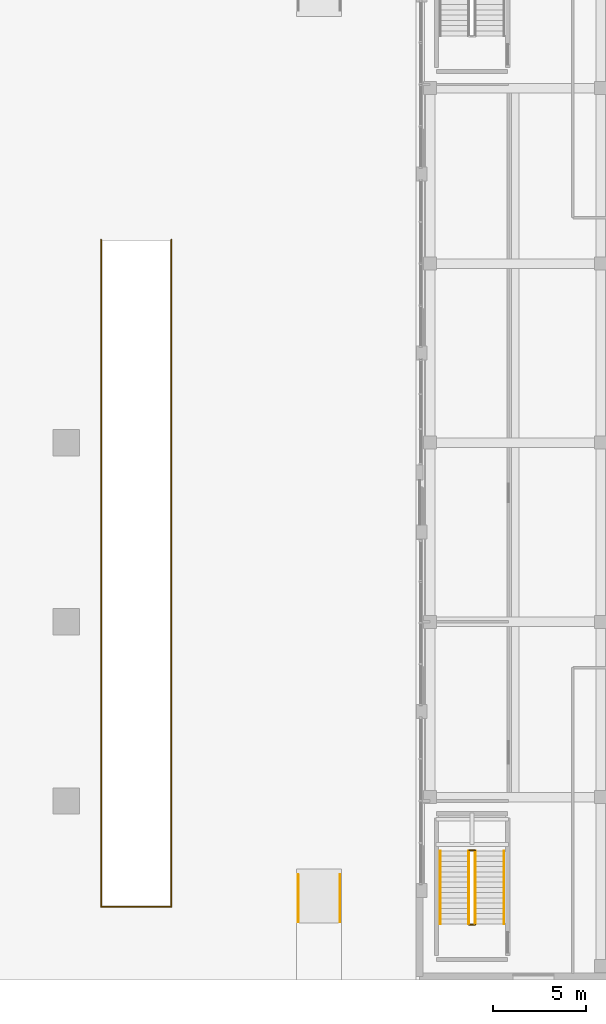
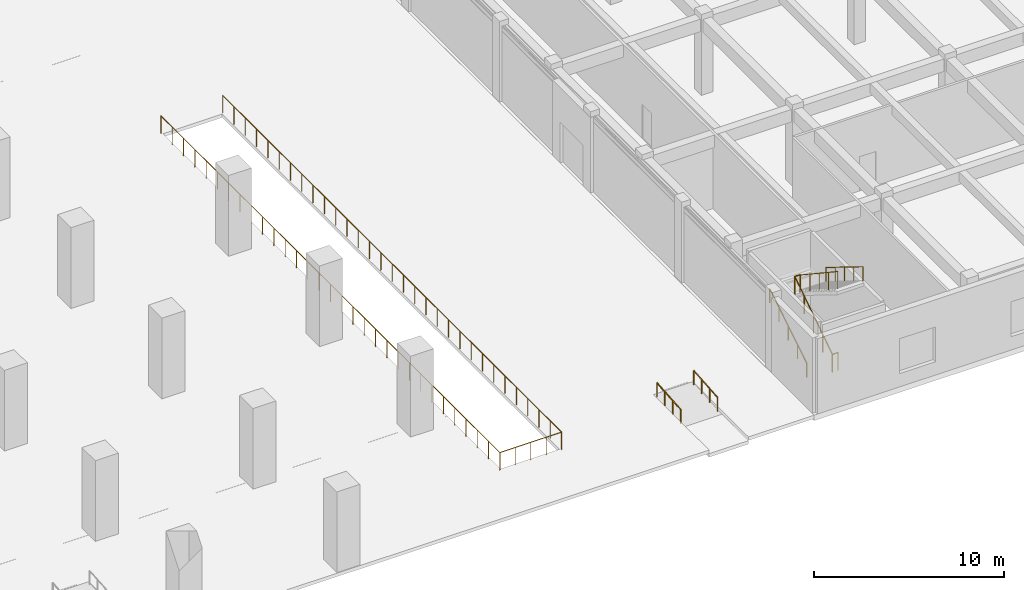
# One storey, part 20 of 24: 9 railings.
"""IFC4 building model written with IfcOpenShell, lengths in metres."""

import ifcopenshell
import ifcopenshell.guid

model = None  # the IFC model being written
_history = None  # IfcOwnerHistory: only IFC2X3 demands one
_inside = {}  # id of a spatial element -> (the spatial element, [elements in it])
_under = {}  # id of a project, library or spatial element -> (it, [spatial elements below it])
_declared = {}  # id of a project -> (the project, [libraries it declares])
_typed = {}  # id of a type object -> (the type object, [elements of that type])
_made_of = {}  # id of a material, layer set ... -> (it, [elements and type objects made of it])


def new_model(schema):
    """Start an empty IFC model of exactly this schema.

    Asked for "IFC4X3", IfcOpenShell would pick the latest addendum, in which some entities
    have other attributes; the version numbers below select the first issue.
    IFC2X3 requires an IfcOwnerHistory on every rooted entity: one is made here for all.
    """
    global model, _history
    if schema == "IFC4X3":
        model = ifcopenshell.file(schema_version=(4, 3, 0, 0))
    else:
        model = ifcopenshell.file(schema=schema)
    _inside.clear()
    _under.clear()
    _declared.clear()
    _typed.clear()
    _made_of.clear()
    _history = None
    if model.schema == "IFC2X3":
        org = make("IfcOrganization", Name="unknown")
        user = make(
            "IfcPersonAndOrganization",
            ThePerson=make("IfcPerson", FamilyName="unknown"),
            TheOrganization=org,
        )
        app = make(
            "IfcApplication",
            ApplicationDeveloper=org,
            Version="unknown",
            ApplicationFullName="unknown",
            ApplicationIdentifier="unknown",
        )
        _history = make(
            "IfcOwnerHistory",
            OwningUser=user,
            OwningApplication=app,
            ChangeAction="ADDED",
            CreationDate=0,
        )
    return model


def make(cls, **values):
    """One entity of the class cls with the attributes given. An attribute that is None is left unset."""
    return model.create_entity(
        cls, **{name: value for name, value in values.items() if value is not None}
    )


def rooted(cls, **values):
    """An entity with a GlobalId (a new one), such as an element, a storey or a relation."""
    return make(cls, GlobalId=ifcopenshell.guid.new(), OwnerHistory=_history, **values)


def si_unit(unit_type, name, prefix=None):
    """IfcSIUnit, for example si_unit("LENGTHUNIT", "METRE", prefix="MILLI")."""
    return make("IfcSIUnit", UnitType=unit_type, Prefix=prefix, Name=name)


def assignment(units):
    """IfcUnitAssignment: the units of a project."""
    return None if units is None else make("IfcUnitAssignment", Units=units)


def point(xyz):
    """IfcCartesianPoint."""
    return None if xyz is None else make("IfcCartesianPoint", Coordinates=xyz)


def direction(xyz):
    """IfcDirection."""
    return None if xyz is None else make("IfcDirection", DirectionRatios=xyz)


def frame(location, z_axis=None, x_axis=None):
    """IfcAxis2Placement3D, a coordinate frame: its origin and axes. An axis left out is left unset."""
    return make(
        "IfcAxis2Placement3D",
        Location=point(location),
        Axis=direction(z_axis),
        RefDirection=direction(x_axis),
    )


def frame_2d(location, x_axis=None):
    """IfcAxis2Placement2D, a coordinate frame in the plane: its origin and x axis."""
    return make(
        "IfcAxis2Placement2D", Location=point(location), RefDirection=direction(x_axis)
    )


def origin():
    """The frame at (0, 0, 0) with its axes left unset."""
    return frame((0.0, 0.0, 0.0))


def origin_2d():
    """The frame at (0, 0) in the plane with its x axis left unset."""
    return frame_2d((0.0, 0.0))


def place(relative_to, where):
    """IfcLocalPlacement: puts the frame where relative to a parent placement (None: the world)."""
    return make(
        "IfcLocalPlacement", PlacementRelTo=relative_to, RelativePlacement=where
    )


def context(
    kind, dimensions, precision=None, world=None, true_north=None, identifier=None
):
    """IfcGeometricRepresentationContext, for example the 3D "Model" context."""
    return make(
        "IfcGeometricRepresentationContext",
        ContextIdentifier=identifier,
        ContextType=kind,
        CoordinateSpaceDimension=dimensions,
        Precision=precision,
        WorldCoordinateSystem=world,
        TrueNorth=true_north,
    )


def subcontext(parent, identifier, kind, view, scale=None):
    """IfcGeometricRepresentationSubContext, for example "Body" below "Model"."""
    return make(
        "IfcGeometricRepresentationSubContext",
        ContextIdentifier=identifier,
        ContextType=kind,
        ParentContext=parent,
        TargetScale=scale,
        TargetView=view,
    )


def project(units=None, contexts=None):
    """IfcProject with its units and contexts."""
    return rooted(
        "IfcProject",
        Name="project",
        RepresentationContexts=contexts,
        UnitsInContext=assignment(units),
    )


def spatial(cls, under=None, at=None, **own):
    """A site, building, storey or space (cls), placed at a placement, below another one or the project."""
    s = rooted(cls, ObjectPlacement=at, **own)
    if under is not None:
        _under.setdefault(under.id(), (under, []))[1].append(s)
    return s


def profile(cls, at=None, kind="AREA", **sizes):
    """A parametric profile (cls). Its sizes go by their IFC names, for example OverallWidth=200.0."""
    return make(cls, ProfileType=kind, Position=at, **sizes)


def circle(**sizes):
    """IfcCircleProfileDef."""
    return profile("IfcCircleProfileDef", **sizes)


def extrude(swept, where, along, depth):
    """IfcExtrudedAreaSolid: the profile swept, set in the frame where, extruded along a direction by depth."""
    return make(
        "IfcExtrudedAreaSolid",
        SweptArea=swept,
        Position=where,
        ExtrudedDirection=direction(along),
        Depth=depth,
    )


def shape(context_of_items, identifier, shape_type, items):
    """IfcShapeRepresentation: the items that make up one representation, for example the "Body"."""
    return make(
        "IfcShapeRepresentation",
        ContextOfItems=context_of_items,
        RepresentationIdentifier=identifier,
        RepresentationType=shape_type,
        Items=items,
    )


def material(Name=None, Category=None):
    """IfcMaterial."""
    return make("IfcMaterial", Name=Name, Category=Category)


def made_of(thing, what):
    """Note that an element or type object is made of a material, layer set ...; save() writes the relation."""
    if what is not None:
        _made_of.setdefault(what.id(), (what, []))[1].append(thing)
    return thing


def type_object(cls, material=None, **own):
    """A type object (cls), such as IfcWallType, which elements share."""
    return made_of(rooted(cls, **own), material)


def element(
    cls,
    number,
    at=None,
    inside=None,
    cuts=None,
    type_object=None,
    material=None,
    context=None,
    identifier="Body",
    shape_type=None,
    held_by="IfcProductDefinitionShape",
    body=None,
    shapes=None,
    **own,
):
    """One element of the class cls, such as IfcWall. Its Tag is "e" and its number.

    at: its placement. inside: the storey or other place that contains it. cuts: it is an
    opening in that element (IfcRelVoidsElement). A single representation is given by context,
    identifier, shape_type and body (its items); several are given by shapes. held_by: the class
    of the entity that holds the representations. save() writes the other relations.
    """
    e = rooted(cls, Tag="e%d" % number, ObjectPlacement=at, **own)
    if body is not None:
        shapes = [shape(context, identifier, shape_type, body)]
    if shapes is not None:
        e.Representation = make(held_by, Representations=shapes)
    if inside is not None:
        _inside.setdefault(inside.id(), (inside, []))[1].append(e)
    if cuts is not None:
        rooted(
            "IfcRelVoidsElement", RelatingBuildingElement=cuts, RelatedOpeningElement=e
        )
    if type_object is not None:
        _typed.setdefault(type_object.id(), (type_object, []))[1].append(e)
    return made_of(e, material)


def aggregate(whole, parts):
    """IfcRelAggregates: a whole, such as a stair, and the parts it consists of."""
    return rooted("IfcRelAggregates", RelatingObject=whole, RelatedObjects=parts)


def save(model, path):
    """Write the relations noted so far, then the file.

    IfcRelAggregates (storeys below a building ...), IfcRelContainedInSpatialStructure (elements
    in a storey), IfcRelDefinesByType, IfcRelAssociatesMaterial and IfcRelDeclares: one each for
    every whole, place, type object, material and project.
    """
    for whole, parts in _under.values():
        aggregate(whole, parts)
    for where, things in _inside.values():
        rooted(
            "IfcRelContainedInSpatialStructure",
            RelatedElements=things,
            RelatingStructure=where,
        )
    for kind, things in _typed.values():
        rooted("IfcRelDefinesByType", RelatedObjects=things, RelatingType=kind)
    for what, things in _made_of.values():
        rooted("IfcRelAssociatesMaterial", RelatedObjects=things, RelatingMaterial=what)
    for by, libraries in _declared.values():
        rooted("IfcRelDeclares", RelatingContext=by, RelatedDefinitions=libraries)
    model.write(path)


model = new_model("IFC4")

# Units and contexts
model_context = context("Model", 3, precision=1e-05, world=origin(), true_north=direction((0.0, 1.0)))
body_context = subcontext(model_context, "Body", "Model", "MODEL_VIEW")
ifc_project = project(units=[si_unit("LENGTHUNIT", "METRE"), si_unit("AREAUNIT", "SQUARE_METRE"), si_unit("VOLUMEUNIT", "CUBIC_METRE"), si_unit("PLANEANGLEUNIT", "RADIAN"), si_unit("MASSUNIT", "GRAM", prefix="KILO")], contexts=[model_context])

# Site, building, storey
site_placement = place(None, origin())
site = spatial("IfcSite", under=ifc_project, at=site_placement, CompositionType="ELEMENT")
building_placement = place(site_placement, origin())
building = spatial("IfcBuilding", under=site, at=building_placement, Name="Norrvale University Quadrangle", CompositionType="ELEMENT")
storey_placement = place(building_placement, origin())
storey = spatial("IfcBuildingStorey", under=building, at=storey_placement, Name="L00", CompositionType="ELEMENT", Elevation=0.0)

# Railings
ifc_material_1 = material(Name="Steel 350W Painted Balustrade", Category="steel")
railing_type_1 = type_object("IfcRailingType", Name="Railing Stair Guard 1100", PredefinedType="GUARDRAIL", material=ifc_material_1)
for number, where, name in (
    (1, (88.030029296875, 2.969970703125, 0.0), "Stair Floor Well Guard ST-L2 L00"),
    (2, (88.030029296875, 6.949951171875, 2.60009765625), "Stair Mid-Landing Slot Guard ST-L2 L00"),
):
    element("IfcRailing", number, at=place(storey_placement, frame(where)), inside=storey, type_object=railing_type_1, Name=name, PredefinedType="GUARDRAIL", context=body_context, shape_type="SweptSolid", body=[
        extrude(circle(Radius=0.02392578125, at=origin_2d()), frame((0.0, 0.0, 1.1259765625), z_axis=(1.0, 0.0, 0.0), x_axis=(0.0, 1.0, 0.0)), (0.0, 0.0, 1.0), 0.340087890625),
        extrude(circle(Radius=0.02099609375, at=origin_2d()), origin(), (0.0, 0.0, 1.0), 1.101806640625),
        extrude(circle(Radius=0.02099609375, at=origin_2d()), frame((0.340087890625, 0.0, 0.0)), (0.0, 0.0, 1.0), 1.101806640625),
    ])
railing_1_placement = place(storey_placement, frame((88.030029296875, 3.0, 0.0)))
element("IfcRailing", 3, at=railing_1_placement, inside=storey, type_object=railing_type_1, Name="Stair Lower Flight Inner Guard ST-L2 L00", PredefinedType="GUARDRAIL", context=body_context, shape_type="SweptSolid", body=[
    extrude(circle(Radius=0.02392578125, at=origin_2d()), frame((0.0, 0.0, 1.1259765625), z_axis=(0.0, 0.833341594215, 0.552758344444), x_axis=(-1.0, 0.0, 0.0)), (0.0, 0.0, 1.0), 4.703857421875),
    extrude(circle(Radius=0.02099609375, at=origin_2d()), origin(), (0.0, 0.0, 1.0), 1.101806640625),
    extrude(circle(Radius=0.02099609375, at=origin_2d()), frame((0.0, 0.97998046875, 0.64990234375)), (0.0, 0.0, 1.0), 1.101806640625),
    extrude(circle(Radius=0.02099609375, at=origin_2d()), frame((0.0, 1.9599609375, 1.300048828125)), (0.0, 0.0, 1.0), 1.101806640625),
    extrude(circle(Radius=0.02099609375, at=origin_2d()), frame((0.0, 2.93994140625, 1.9501953125)), (0.0, 0.0, 1.0), 1.101806640625),
    extrude(circle(Radius=0.02099609375, at=origin_2d()), frame((0.0, 3.919921875, 2.60009765625)), (0.0, 0.0, 1.0), 1.101806640625),
])
railing_2_placement = place(storey_placement, frame((88.3701171875, 6.919921875, 2.60009765625)))
element("IfcRailing", 4, at=railing_2_placement, inside=storey, type_object=railing_type_1, Name="Stair Upper Flight Inner Guard ST-L2 L00", PredefinedType="GUARDRAIL", context=body_context, shape_type="SweptSolid", body=[
    extrude(circle(Radius=0.02392578125, at=origin_2d()), frame((0.0, 0.0, 1.1259765625), z_axis=(0.0, -0.833365502166, 0.552722298989), x_axis=(1.0, 0.0, 0.0)), (0.0, 0.0, 1.0), 4.70361328125),
    extrude(circle(Radius=0.02099609375, at=origin_2d()), origin(), (0.0, 0.0, 1.0), 1.101806640625),
    extrude(circle(Radius=0.02099609375, at=origin_2d()), frame((0.0, -0.97998046875, 0.64990234375)), (0.0, 0.0, 1.0), 1.101806640625),
    extrude(circle(Radius=0.02099609375, at=origin_2d()), frame((0.0, -1.9599609375, 1.2998046875)), (0.0, 0.0, 1.0), 1.101806640625),
    extrude(circle(Radius=0.02099609375, at=origin_2d()), frame((0.0, -2.93994140625, 1.949951171875)), (0.0, 0.0, 1.0), 1.101806640625),
    extrude(circle(Radius=0.02099609375, at=origin_2d()), frame((0.0, -3.919921875, 2.599853515625)), (0.0, 0.0, 1.0), 1.101806640625),
])
ifc_material_2 = material(Name="Stainless Steel 316L Handrail", Category="steel")
railing_type_2 = type_object("IfcRailingType", Name="Railing Stair Handrail 920", PredefinedType="HANDRAIL", material=ifc_material_2)
for number, where, name in (
    (5, (78.8798828125, 3.1201171875, -0.219970703125), "Accessible Plaza Ramp Handrail S3-L"),
    (6, (81.1201171875, 3.1201171875, -0.219970703125), "Accessible Plaza Ramp Handrail S3-R"),
):
    element("IfcRailing", number, at=place(storey_placement, frame(where)), inside=storey, type_object=railing_type_2, Name=name, PredefinedType="HANDRAIL", context=body_context, shape_type="SweptSolid", body=[
        extrude(circle(Radius=0.02392578125, at=origin_2d()), frame((0.0, 0.0, 0.89599609375), z_axis=(0.0, 0.996866359815, 0.079104112846), x_axis=(-1.0, 0.0, 0.0)), (0.0, 0.0, 1.0), 2.527587890625),
        extrude(circle(Radius=0.02099609375, at=origin_2d()), origin(), (0.0, 0.0, 1.0), 0.871826171875),
        extrude(circle(Radius=0.02099609375, at=origin_2d()), frame((0.0, 0.83984375, 0.066650390625)), (0.0, 0.0, 1.0), 0.871826171875),
        extrude(circle(Radius=0.02099609375, at=origin_2d()), frame((0.0, 1.679931640625, 0.13330078125)), (0.0, 0.0, 1.0), 0.871826171875),
        extrude(circle(Radius=0.02099609375, at=origin_2d()), frame((0.0, 2.519775390625, 0.199951171875)), (0.0, 0.0, 1.0), 0.871826171875),
    ])
railing_3_placement = place(storey_placement, frame((86.489990234375, 3.0, 0.17333984375)))
element("IfcRailing", 7, at=railing_3_placement, inside=storey, type_object=railing_type_2, Name="Stair Lower Flight Handrail ST-L2 L00", PredefinedType="HANDRAIL", context=body_context, shape_type="SweptSolid", body=[
    extrude(circle(Radius=0.02392578125, at=origin_2d()), frame((0.0, 0.0, 0.89599609375), z_axis=(0.0, 0.850251603719, 0.526376491091), x_axis=(-1.0, 0.0, 0.0)), (0.0, 0.0, 1.0), 4.6103515625),
    extrude(circle(Radius=0.02099609375, at=origin_2d()), origin(), (0.0, 0.0, 1.0), 0.871826171875),
    extrude(circle(Radius=0.02099609375, at=origin_2d()), frame((0.0, 0.97998046875, 0.606689453125)), (0.0, 0.0, 1.0), 0.871826171875),
    extrude(circle(Radius=0.02099609375, at=origin_2d()), frame((0.0, 1.9599609375, 1.21337890625)), (0.0, 0.0, 1.0), 0.871826171875),
    extrude(circle(Radius=0.02099609375, at=origin_2d()), frame((0.0, 2.93994140625, 1.820068359375)), (0.0, 0.0, 1.0), 0.871826171875),
    extrude(circle(Radius=0.02099609375, at=origin_2d()), frame((0.0, 3.919921875, 2.4267578125)), (0.0, 0.0, 1.0), 0.871826171875),
])
railing_4_placement = place(storey_placement, frame((89.909912109375, 6.919921875, 2.773193359375)))
element("IfcRailing", 8, at=railing_4_placement, inside=storey, type_object=railing_type_2, Name="Stair Upper Flight Handrail ST-L2 L00", PredefinedType="HANDRAIL", context=body_context, shape_type="SweptSolid", body=[
    extrude(circle(Radius=0.02392578125, at=origin_2d()), frame((0.0, 0.0, 0.89599609375), z_axis=(0.0, -0.850251603719, 0.526376491091), x_axis=(1.0, 0.0, 0.0)), (0.0, 0.0, 1.0), 4.6103515625),
    extrude(circle(Radius=0.02099609375, at=origin_2d()), origin(), (0.0, 0.0, 1.0), 0.871826171875),
    extrude(circle(Radius=0.02099609375, at=origin_2d()), frame((0.0, -0.97998046875, 0.606689453125)), (0.0, 0.0, 1.0), 0.871826171875),
    extrude(circle(Radius=0.02099609375, at=origin_2d()), frame((0.0, -1.9599609375, 1.21337890625)), (0.0, 0.0, 1.0), 0.871826171875),
    extrude(circle(Radius=0.02099609375, at=origin_2d()), frame((0.0, -2.93994140625, 1.820068359375)), (0.0, 0.0, 1.0), 0.871826171875),
    extrude(circle(Radius=0.02099609375, at=origin_2d()), frame((0.0, -3.919921875, 2.4267578125)), (0.0, 0.0, 1.0), 0.871826171875),
])
ifc_material_3 = material(Name="Stainless Steel 316L Balustrade", Category="steel")
railing_type_3 = type_object("IfcRailingType", Name="Railing Terrace Guard 1150", PredefinedType="BALUSTRADE", material=ifc_material_3)
railing_5_placement = place(storey_placement, frame((68.320068359375, 39.679931640625, 0.0)))
element("IfcRailing", 9, at=railing_5_placement, inside=storey, type_object=railing_type_3, Name="Service Ramp Plaza Guardrail", PredefinedType="BALUSTRADE", context=body_context, shape_type="SweptSolid", body=[
    extrude(circle(Radius=0.02392578125, at=origin_2d()), frame((0.0, 0.0, 1.1259765625), z_axis=(0.0, -1.0, 0.0), x_axis=(1.0, 0.0, 0.0)), (0.0, 0.0, 1.0), 35.760009765625),
    extrude(circle(Radius=0.02392578125, at=origin_2d()), frame((0.0, -35.760009765625, 1.1259765625), z_axis=(1.0, 0.0, 0.0), x_axis=(0.0, 1.0, 0.0)), (0.0, 0.0, 1.0), 3.760009765625),
    extrude(circle(Radius=0.02392578125, at=origin_2d()), frame((3.760009765625, -35.760009765625, 1.1259765625), z_axis=(0.0, 1.0, 0.0), x_axis=(-1.0, 0.0, 0.0)), (0.0, 0.0, 1.0), 35.760009765625),
    extrude(circle(Radius=0.02099609375, at=origin_2d()), origin(), (0.0, 0.0, 1.0), 1.101806640625),
    extrude(circle(Radius=0.02099609375, at=origin_2d()), frame((0.0, -1.19189453125, 0.0)), (0.0, 0.0, 1.0), 1.101806640625),
    extrude(circle(Radius=0.02099609375, at=origin_2d()), frame((0.0, -2.384033203125, 0.0)), (0.0, 0.0, 1.0), 1.101806640625),
    extrude(circle(Radius=0.02099609375, at=origin_2d()), frame((0.0, -3.575927734375, 0.0)), (0.0, 0.0, 1.0), 1.101806640625),
    extrude(circle(Radius=0.02099609375, at=origin_2d()), frame((0.0, -4.76806640625, 0.0)), (0.0, 0.0, 1.0), 1.101806640625),
    extrude(circle(Radius=0.02099609375, at=origin_2d()), frame((0.0, -5.9599609375, 0.0)), (0.0, 0.0, 1.0), 1.101806640625),
    extrude(circle(Radius=0.02099609375, at=origin_2d()), frame((0.0, -7.152099609375, 0.0)), (0.0, 0.0, 1.0), 1.101806640625),
    extrude(circle(Radius=0.02099609375, at=origin_2d()), frame((0.0, -8.343994140625, 0.0)), (0.0, 0.0, 1.0), 1.101806640625),
    extrude(circle(Radius=0.02099609375, at=origin_2d()), frame((0.0, -9.535888671875, 0.0)), (0.0, 0.0, 1.0), 1.101806640625),
    extrude(circle(Radius=0.02099609375, at=origin_2d()), frame((0.0, -10.72802734375, 0.0)), (0.0, 0.0, 1.0), 1.101806640625),
    extrude(circle(Radius=0.02099609375, at=origin_2d()), frame((0.0, -11.919921875, 0.0)), (0.0, 0.0, 1.0), 1.101806640625),
    extrude(circle(Radius=0.02099609375, at=origin_2d()), frame((0.0, -13.112060546875, 0.0)), (0.0, 0.0, 1.0), 1.101806640625),
    extrude(circle(Radius=0.02099609375, at=origin_2d()), frame((0.0, -14.303955078125, 0.0)), (0.0, 0.0, 1.0), 1.101806640625),
    extrude(circle(Radius=0.02099609375, at=origin_2d()), frame((0.0, -15.49609375, 0.0)), (0.0, 0.0, 1.0), 1.101806640625),
    extrude(circle(Radius=0.02099609375, at=origin_2d()), frame((0.0, -16.68798828125, 0.0)), (0.0, 0.0, 1.0), 1.101806640625),
    extrude(circle(Radius=0.02099609375, at=origin_2d()), frame((0.0, -17.8798828125, 0.0)), (0.0, 0.0, 1.0), 1.101806640625),
    extrude(circle(Radius=0.02099609375, at=origin_2d()), frame((0.0, -19.072021484375, 0.0)), (0.0, 0.0, 1.0), 1.101806640625),
    extrude(circle(Radius=0.02099609375, at=origin_2d()), frame((0.0, -20.263916015625, 0.0)), (0.0, 0.0, 1.0), 1.101806640625),
    extrude(circle(Radius=0.02099609375, at=origin_2d()), frame((0.0, -21.4560546875, 0.0)), (0.0, 0.0, 1.0), 1.101806640625),
    extrude(circle(Radius=0.02099609375, at=origin_2d()), frame((0.0, -22.64794921875, 0.0)), (0.0, 0.0, 1.0), 1.101806640625),
    extrude(circle(Radius=0.02099609375, at=origin_2d()), frame((0.0, -23.840087890625, 0.0)), (0.0, 0.0, 1.0), 1.101806640625),
    extrude(circle(Radius=0.02099609375, at=origin_2d()), frame((0.0, -25.031982421875, 0.0)), (0.0, 0.0, 1.0), 1.101806640625),
    extrude(circle(Radius=0.02099609375, at=origin_2d()), frame((0.0, -26.22412109375, 0.0)), (0.0, 0.0, 1.0), 1.101806640625),
    extrude(circle(Radius=0.02099609375, at=origin_2d()), frame((0.0, -27.416015625, 0.0)), (0.0, 0.0, 1.0), 1.101806640625),
    extrude(circle(Radius=0.02099609375, at=origin_2d()), frame((0.0, -28.60791015625, 0.0)), (0.0, 0.0, 1.0), 1.101806640625),
    extrude(circle(Radius=0.02099609375, at=origin_2d()), frame((0.0, -29.800048828125, 0.0)), (0.0, 0.0, 1.0), 1.101806640625),
    extrude(circle(Radius=0.02099609375, at=origin_2d()), frame((0.0, -30.991943359375, 0.0)), (0.0, 0.0, 1.0), 1.101806640625),
    extrude(circle(Radius=0.02099609375, at=origin_2d()), frame((0.0, -32.18408203125, 0.0)), (0.0, 0.0, 1.0), 1.101806640625),
    extrude(circle(Radius=0.02099609375, at=origin_2d()), frame((0.0, -33.3759765625, 0.0)), (0.0, 0.0, 1.0), 1.101806640625),
    extrude(circle(Radius=0.02099609375, at=origin_2d()), frame((0.0, -34.568115234375, 0.0)), (0.0, 0.0, 1.0), 1.101806640625),
    extrude(circle(Radius=0.02099609375, at=origin_2d()), frame((0.0, -35.760009765625, 0.0)), (0.0, 0.0, 1.0), 1.101806640625),
    extrude(circle(Radius=0.02099609375, at=origin_2d()), frame((0.93994140625, -35.760009765625, 0.0)), (0.0, 0.0, 1.0), 1.101806640625),
    extrude(circle(Radius=0.02099609375, at=origin_2d()), frame((1.8798828125, -35.760009765625, 0.0)), (0.0, 0.0, 1.0), 1.101806640625),
    extrude(circle(Radius=0.02099609375, at=origin_2d()), frame((2.820068359375, -35.760009765625, 0.0)), (0.0, 0.0, 1.0), 1.101806640625),
    extrude(circle(Radius=0.02099609375, at=origin_2d()), frame((3.760009765625, -35.760009765625, 0.0)), (0.0, 0.0, 1.0), 1.101806640625),
    extrude(circle(Radius=0.02099609375, at=origin_2d()), frame((3.760009765625, -34.568115234375, 0.0)), (0.0, 0.0, 1.0), 1.101806640625),
    extrude(circle(Radius=0.02099609375, at=origin_2d()), frame((3.760009765625, -33.3759765625, 0.0)), (0.0, 0.0, 1.0), 1.101806640625),
    extrude(circle(Radius=0.02099609375, at=origin_2d()), frame((3.760009765625, -32.18408203125, 0.0)), (0.0, 0.0, 1.0), 1.101806640625),
    extrude(circle(Radius=0.02099609375, at=origin_2d()), frame((3.760009765625, -30.991943359375, 0.0)), (0.0, 0.0, 1.0), 1.101806640625),
    extrude(circle(Radius=0.02099609375, at=origin_2d()), frame((3.760009765625, -29.800048828125, 0.0)), (0.0, 0.0, 1.0), 1.101806640625),
    extrude(circle(Radius=0.02099609375, at=origin_2d()), frame((3.760009765625, -28.60791015625, 0.0)), (0.0, 0.0, 1.0), 1.101806640625),
    extrude(circle(Radius=0.02099609375, at=origin_2d()), frame((3.760009765625, -27.416015625, 0.0)), (0.0, 0.0, 1.0), 1.101806640625),
    extrude(circle(Radius=0.02099609375, at=origin_2d()), frame((3.760009765625, -26.22412109375, 0.0)), (0.0, 0.0, 1.0), 1.101806640625),
    extrude(circle(Radius=0.02099609375, at=origin_2d()), frame((3.760009765625, -25.031982421875, 0.0)), (0.0, 0.0, 1.0), 1.101806640625),
    extrude(circle(Radius=0.02099609375, at=origin_2d()), frame((3.760009765625, -23.840087890625, 0.0)), (0.0, 0.0, 1.0), 1.101806640625),
    extrude(circle(Radius=0.02099609375, at=origin_2d()), frame((3.760009765625, -22.64794921875, 0.0)), (0.0, 0.0, 1.0), 1.101806640625),
    extrude(circle(Radius=0.02099609375, at=origin_2d()), frame((3.760009765625, -21.4560546875, 0.0)), (0.0, 0.0, 1.0), 1.101806640625),
    extrude(circle(Radius=0.02099609375, at=origin_2d()), frame((3.760009765625, -20.263916015625, 0.0)), (0.0, 0.0, 1.0), 1.101806640625),
    extrude(circle(Radius=0.02099609375, at=origin_2d()), frame((3.760009765625, -19.072021484375, 0.0)), (0.0, 0.0, 1.0), 1.101806640625),
    extrude(circle(Radius=0.02099609375, at=origin_2d()), frame((3.760009765625, -17.8798828125, 0.0)), (0.0, 0.0, 1.0), 1.101806640625),
    extrude(circle(Radius=0.02099609375, at=origin_2d()), frame((3.760009765625, -16.68798828125, 0.0)), (0.0, 0.0, 1.0), 1.101806640625),
    extrude(circle(Radius=0.02099609375, at=origin_2d()), frame((3.760009765625, -15.49609375, 0.0)), (0.0, 0.0, 1.0), 1.101806640625),
    extrude(circle(Radius=0.02099609375, at=origin_2d()), frame((3.760009765625, -14.303955078125, 0.0)), (0.0, 0.0, 1.0), 1.101806640625),
    extrude(circle(Radius=0.02099609375, at=origin_2d()), frame((3.760009765625, -13.112060546875, 0.0)), (0.0, 0.0, 1.0), 1.101806640625),
    extrude(circle(Radius=0.02099609375, at=origin_2d()), frame((3.760009765625, -11.919921875, 0.0)), (0.0, 0.0, 1.0), 1.101806640625),
    extrude(circle(Radius=0.02099609375, at=origin_2d()), frame((3.760009765625, -10.72802734375, 0.0)), (0.0, 0.0, 1.0), 1.101806640625),
    extrude(circle(Radius=0.02099609375, at=origin_2d()), frame((3.760009765625, -9.535888671875, 0.0)), (0.0, 0.0, 1.0), 1.101806640625),
    extrude(circle(Radius=0.02099609375, at=origin_2d()), frame((3.760009765625, -8.343994140625, 0.0)), (0.0, 0.0, 1.0), 1.101806640625),
    extrude(circle(Radius=0.02099609375, at=origin_2d()), frame((3.760009765625, -7.152099609375, 0.0)), (0.0, 0.0, 1.0), 1.101806640625),
    extrude(circle(Radius=0.02099609375, at=origin_2d()), frame((3.760009765625, -5.9599609375, 0.0)), (0.0, 0.0, 1.0), 1.101806640625),
    extrude(circle(Radius=0.02099609375, at=origin_2d()), frame((3.760009765625, -4.76806640625, 0.0)), (0.0, 0.0, 1.0), 1.101806640625),
    extrude(circle(Radius=0.02099609375, at=origin_2d()), frame((3.760009765625, -3.575927734375, 0.0)), (0.0, 0.0, 1.0), 1.101806640625),
    extrude(circle(Radius=0.02099609375, at=origin_2d()), frame((3.760009765625, -2.384033203125, 0.0)), (0.0, 0.0, 1.0), 1.101806640625),
    extrude(circle(Radius=0.02099609375, at=origin_2d()), frame((3.760009765625, -1.19189453125, 0.0)), (0.0, 0.0, 1.0), 1.101806640625),
    extrude(circle(Radius=0.02099609375, at=origin_2d()), frame((3.760009765625, 0.0, 0.0)), (0.0, 0.0, 1.0), 1.101806640625),
])

save(model, "model.ifc")
